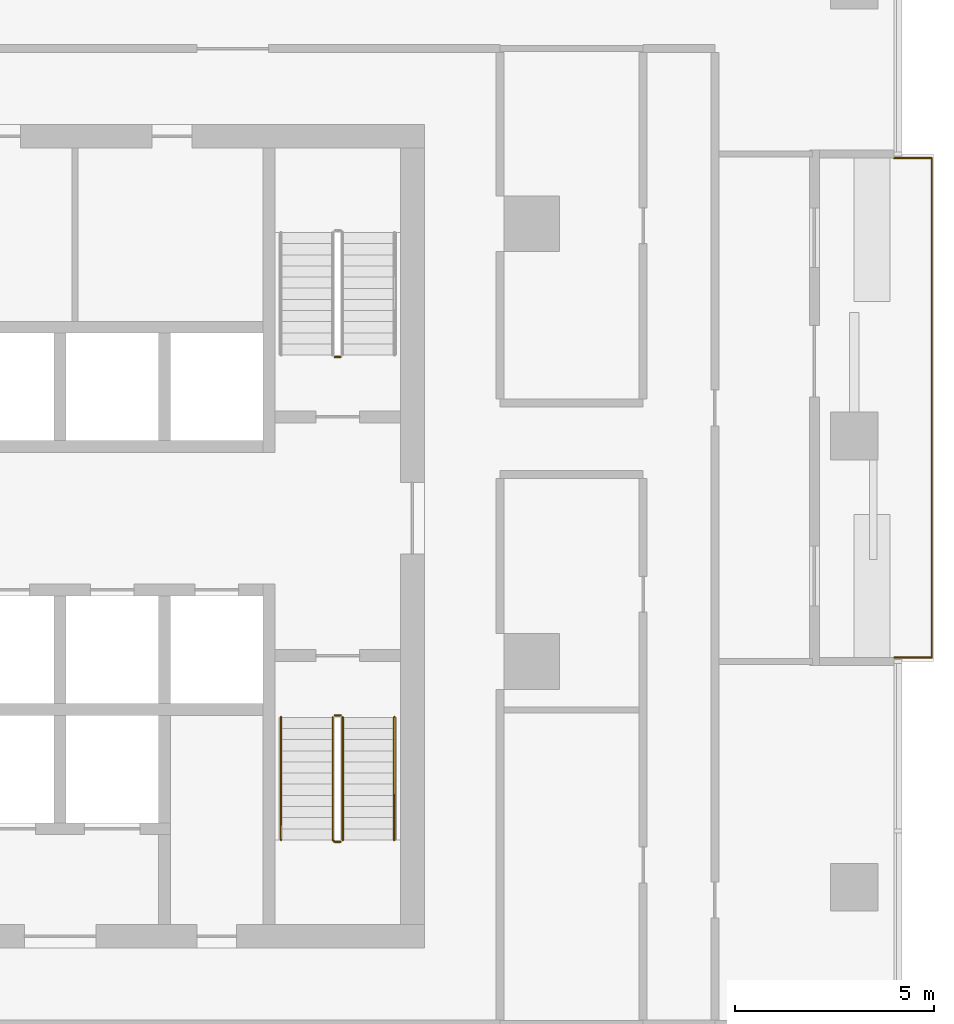
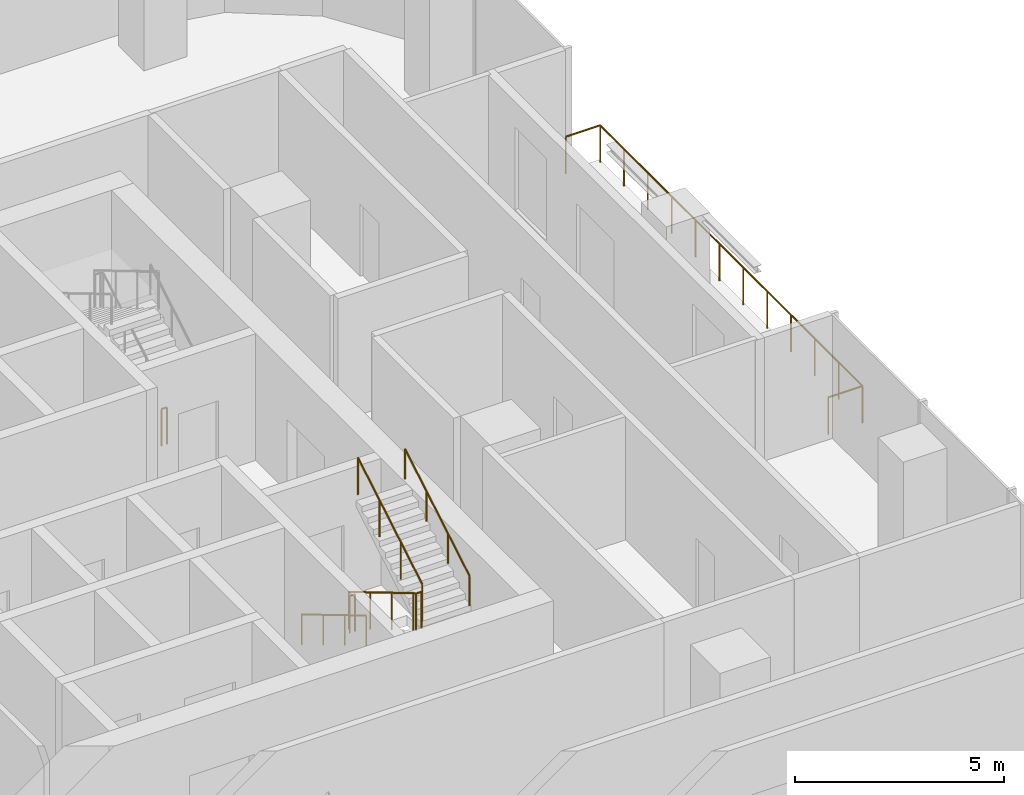
# One storey, part 13 of 14: 7 railings.
"""IFC4 building model written with IfcOpenShell, lengths in metres."""

from ifc_helpers import new_model, si_unit, direction, frame, origin, origin_2d, place, context, subcontext, project, spatial, circle, extrude, material, type_object, element, save


model = new_model("IFC4")

# Units and contexts
model_context = context("Model", 3, precision=1e-05, world=origin(), true_north=direction((0.0, 1.0)))
body_context = subcontext(model_context, "Body", "Model", "MODEL_VIEW")
ifc_project = project(units=[si_unit("LENGTHUNIT", "METRE"), si_unit("AREAUNIT", "SQUARE_METRE"), si_unit("VOLUMEUNIT", "CUBIC_METRE"), si_unit("PLANEANGLEUNIT", "RADIAN"), si_unit("MASSUNIT", "GRAM", prefix="KILO")], contexts=[model_context])

# Site, building, storey
site_placement = place(None, origin())
site = spatial("IfcSite", under=ifc_project, at=site_placement, CompositionType="ELEMENT")
building_placement = place(site_placement, origin())
building = spatial("IfcBuilding", under=site, at=building_placement, Name="Mopane Tessera Tower", CompositionType="ELEMENT")
storey_placement = place(building_placement, frame((0.0, 0.0, 165.0)))
storey = spatial("IfcBuildingStorey", under=building, at=storey_placement, Name="L33", CompositionType="ELEMENT", Elevation=165.0)

# Railings
ifc_material_1 = material(Name="Powder-coated steel balustrade", Category="steel")
railing_type_1 = type_object("IfcRailingType", Name="Escape stair guard 1100 mm", PredefinedType="GUARDRAIL", material=ifc_material_1)
railing_1_placement = place(storey_placement, frame((12.10009765625, -1.39990234375, 0.166748046875)))
element("IfcRailing", 1, at=railing_1_placement, inside=storey, type_object=railing_type_1, Name="L33 ST3 stair guard 1", PredefinedType="GUARDRAIL", context=body_context, shape_type="SweptSolid", body=[
    extrude(circle(Radius=0.02392578125, at=origin_2d()), frame((0.0, 0.0, 1.076171875), z_axis=(0.0, -0.859308565015, 0.511457515432), x_axis=(1.0, 0.0, 0.0)), (0.0, 0.0, 1.0), 3.58447265625),
    extrude(circle(Radius=0.02392578125, at=origin_2d()), frame((0.0, -3.080078125, 2.9091796875), z_axis=(0.705375805398, -0.708833529934, 0.0), x_axis=(0.708833529934, 0.705375805398, 0.0)), (0.0, 0.0, 1.0), 0.070556640625),
    extrude(circle(Radius=0.02392578125, at=origin_2d()), frame((0.0498046875, -3.130126953125, 2.9091796875), z_axis=(1.0, 0.0, 0.0), x_axis=(0.0, 1.0, 0.0)), (0.0, 0.0, 1.0), 0.150146484375),
    extrude(circle(Radius=0.02099609375, at=origin_2d()), origin(), (0.0, 0.0, 1.0), 1.052001953125),
    extrude(circle(Radius=0.02099609375, at=origin_2d()), frame((0.0, -1.026611328125, 0.611083984375)), (0.0, 0.0, 1.0), 1.052001953125),
    extrude(circle(Radius=0.02099609375, at=origin_2d()), frame((0.0, -2.053466796875, 1.22216796875)), (0.0, 0.0, 1.0), 1.052001953125),
    extrude(circle(Radius=0.02099609375, at=origin_2d()), frame((0.0, -3.080078125, 1.833251953125)), (0.0, 0.0, 1.0), 1.052001953125),
    extrude(circle(Radius=0.02099609375, at=origin_2d()), frame((0.0498046875, -3.130126953125, 1.833251953125)), (0.0, 0.0, 1.0), 1.052001953125),
    extrude(circle(Radius=0.02099609375, at=origin_2d()), frame((0.199951171875, -3.130126953125, 1.833251953125)), (0.0, 0.0, 1.0), 1.052001953125),
])
railing_2_placement = place(storey_placement, frame((12.35009765625, -4.47998046875, 2.166748046875)))
element("IfcRailing", 2, at=railing_2_placement, inside=storey, type_object=railing_type_1, Name="L33 ST3 stair guard 2", PredefinedType="GUARDRAIL", context=body_context, shape_type="SweptSolid", body=[
    extrude(circle(Radius=0.02392578125, at=origin_2d()), frame((0.0, 0.0, 1.076171875), z_axis=(0.0, 0.859308565015, 0.511457515432), x_axis=(-1.0, 0.0, 0.0)), (0.0, 0.0, 1.0), 3.58447265625),
    extrude(circle(Radius=0.02099609375, at=origin_2d()), origin(), (0.0, 0.0, 1.0), 1.052001953125),
    extrude(circle(Radius=0.02099609375, at=origin_2d()), frame((0.0, 1.026611328125, 0.611083984375)), (0.0, 0.0, 1.0), 1.052001953125),
    extrude(circle(Radius=0.02099609375, at=origin_2d()), frame((0.0, 2.053466796875, 1.22216796875)), (0.0, 0.0, 1.0), 1.052001953125),
    extrude(circle(Radius=0.02099609375, at=origin_2d()), frame((0.0, 3.080078125, 1.833251953125)), (0.0, 0.0, 1.0), 1.052001953125),
])
railing_3_placement = place(storey_placement, frame((12.14990234375, -1.35009765625, 0.0)))
element("IfcRailing", 3, at=railing_3_placement, inside=storey, type_object=railing_type_1, Name="L33 ST3 stair guard 3", PredefinedType="GUARDRAIL", context=body_context, shape_type="SweptSolid", body=[
    extrude(circle(Radius=0.02392578125, at=origin_2d()), frame((0.0, 0.0, 1.076171875), z_axis=(1.0, 0.0, 0.0), x_axis=(0.0, 1.0, 0.0)), (0.0, 0.0, 1.0), 0.150146484375),
    extrude(circle(Radius=0.02099609375, at=origin_2d()), origin(), (0.0, 0.0, 1.0), 1.052001953125),
    extrude(circle(Radius=0.02099609375, at=origin_2d()), frame((0.150146484375, 0.0, 0.0)), (0.0, 0.0, 1.0), 1.052001953125),
])
railing_4_placement = place(storey_placement, frame((12.300048828125, 7.64990234375, 0.0)))
element("IfcRailing", 4, at=railing_4_placement, inside=storey, type_object=railing_type_1, Name="L33 ST4 stair guard 3", PredefinedType="GUARDRAIL", context=body_context, shape_type="SweptSolid", body=[
    extrude(circle(Radius=0.02392578125, at=origin_2d()), frame((0.0, 0.0, 1.076171875), z_axis=(-1.0, 0.0, 0.0), x_axis=(0.0, -1.0, 0.0)), (0.0, 0.0, 1.0), 0.150146484375),
    extrude(circle(Radius=0.02099609375, at=origin_2d()), origin(), (0.0, 0.0, 1.0), 1.052001953125),
    extrude(circle(Radius=0.02099609375, at=origin_2d()), frame((-0.150146484375, 0.0, 0.0)), (0.0, 0.0, 1.0), 1.052001953125),
])
ifc_material_2 = material(Name="Powder-coated steel balustrade", Category="steel")
railing_type_2 = type_object("IfcRailingType", Name="Escape stair handrail 900 mm", PredefinedType="HANDRAIL", material=ifc_material_2)
railing_5_placement = place(storey_placement, frame((10.800048828125, -1.39990234375, 0.166748046875)))
element("IfcRailing", 5, at=railing_5_placement, inside=storey, type_object=railing_type_2, Name="L33 ST3 stair handrail 1", PredefinedType="HANDRAIL", context=body_context, shape_type="SweptSolid", body=[
    extrude(circle(Radius=0.02392578125, at=origin_2d()), frame((0.0, 0.0, 0.8759765625), z_axis=(0.0, -0.859308565015, 0.511457515432), x_axis=(1.0, 0.0, 0.0)), (0.0, 0.0, 1.0), 3.58447265625),
    extrude(circle(Radius=0.02099609375, at=origin_2d()), origin(), (0.0, 0.0, 1.0), 0.851806640625),
    extrude(circle(Radius=0.02099609375, at=origin_2d()), frame((0.0, -1.026611328125, 0.611083984375)), (0.0, 0.0, 1.0), 0.851806640625),
    extrude(circle(Radius=0.02099609375, at=origin_2d()), frame((0.0, -2.053466796875, 1.22216796875)), (0.0, 0.0, 1.0), 0.851806640625),
    extrude(circle(Radius=0.02099609375, at=origin_2d()), frame((0.0, -3.080078125, 1.833251953125)), (0.0, 0.0, 1.0), 0.851806640625),
])
railing_6_placement = place(storey_placement, frame((13.64990234375, -4.47998046875, 2.166748046875)))
element("IfcRailing", 6, at=railing_6_placement, inside=storey, type_object=railing_type_2, Name="L33 ST3 stair handrail 2", PredefinedType="HANDRAIL", context=body_context, shape_type="SweptSolid", body=[
    extrude(circle(Radius=0.02392578125, at=origin_2d()), frame((0.0, 0.0, 0.8759765625), z_axis=(0.0, 0.859308565015, 0.511457515432), x_axis=(-1.0, 0.0, 0.0)), (0.0, 0.0, 1.0), 3.58447265625),
    extrude(circle(Radius=0.02099609375, at=origin_2d()), origin(), (0.0, 0.0, 1.0), 0.851806640625),
    extrude(circle(Radius=0.02099609375, at=origin_2d()), frame((0.0, 1.026611328125, 0.611083984375)), (0.0, 0.0, 1.0), 0.851806640625),
    extrude(circle(Radius=0.02099609375, at=origin_2d()), frame((0.0, 2.053466796875, 1.22216796875)), (0.0, 0.0, 1.0), 0.851806640625),
    extrude(circle(Radius=0.02099609375, at=origin_2d()), frame((0.0, 3.080078125, 1.833251953125)), (0.0, 0.0, 1.0), 0.851806640625),
])
ifc_material_3 = material(Name="Stainless steel S316", Category="steel")
railing_type_3 = type_object("IfcRailingType", Name="Terrace guard 1100", PredefinedType="GUARDRAIL", material=ifc_material_3)
railing_7_placement = place(storey_placement, frame((26.199951171875, 0.10009765625, 0.0)))
element("IfcRailing", 7, at=railing_7_placement, inside=storey, type_object=railing_type_3, Name="e:nw:L33:N3:guard", PredefinedType="GUARDRAIL", context=body_context, shape_type="SweptSolid", body=[
    extrude(circle(Radius=0.02392578125, at=origin_2d()), frame((0.0, 0.0, 1.076171875), z_axis=(1.0, 0.0, 0.0), x_axis=(0.0, 1.0, 0.0)), (0.0, 0.0, 1.0), 0.949951171875),
    extrude(circle(Radius=0.02392578125, at=origin_2d()), frame((0.949951171875, 0.0, 1.076171875), z_axis=(0.0, 1.0, 0.0), x_axis=(-1.0, 0.0, 0.0)), (0.0, 0.0, 1.0), 12.5498046875),
    extrude(circle(Radius=0.02392578125, at=origin_2d()), frame((0.949951171875, 12.5498046875, 1.076171875), z_axis=(-1.0, 0.0, 0.0), x_axis=(0.0, -1.0, 0.0)), (0.0, 0.0, 1.0), 0.949951171875),
    extrude(circle(Radius=0.02099609375, at=origin_2d()), origin(), (0.0, 0.0, 1.0), 1.052001953125),
    extrude(circle(Radius=0.02099609375, at=origin_2d()), frame((0.949951171875, 0.0, 0.0)), (0.0, 0.0, 1.0), 1.052001953125),
    extrude(circle(Radius=0.02099609375, at=origin_2d()), frame((0.949951171875, 1.140869140625, 0.0)), (0.0, 0.0, 1.0), 1.052001953125),
    extrude(circle(Radius=0.02099609375, at=origin_2d()), frame((0.949951171875, 2.28173828125, 0.0)), (0.0, 0.0, 1.0), 1.052001953125),
    extrude(circle(Radius=0.02099609375, at=origin_2d()), frame((0.949951171875, 3.422607421875, 0.0)), (0.0, 0.0, 1.0), 1.052001953125),
    extrude(circle(Radius=0.02099609375, at=origin_2d()), frame((0.949951171875, 4.5634765625, 0.0)), (0.0, 0.0, 1.0), 1.052001953125),
    extrude(circle(Radius=0.02099609375, at=origin_2d()), frame((0.949951171875, 5.704345703125, 0.0)), (0.0, 0.0, 1.0), 1.052001953125),
    extrude(circle(Radius=0.02099609375, at=origin_2d()), frame((0.949951171875, 6.845458984375, 0.0)), (0.0, 0.0, 1.0), 1.052001953125),
    extrude(circle(Radius=0.02099609375, at=origin_2d()), frame((0.949951171875, 7.986328125, 0.0)), (0.0, 0.0, 1.0), 1.052001953125),
    extrude(circle(Radius=0.02099609375, at=origin_2d()), frame((0.949951171875, 9.127197265625, 0.0)), (0.0, 0.0, 1.0), 1.052001953125),
    extrude(circle(Radius=0.02099609375, at=origin_2d()), frame((0.949951171875, 10.26806640625, 0.0)), (0.0, 0.0, 1.0), 1.052001953125),
    extrude(circle(Radius=0.02099609375, at=origin_2d()), frame((0.949951171875, 11.408935546875, 0.0)), (0.0, 0.0, 1.0), 1.052001953125),
    extrude(circle(Radius=0.02099609375, at=origin_2d()), frame((0.949951171875, 12.5498046875, 0.0)), (0.0, 0.0, 1.0), 1.052001953125),
    extrude(circle(Radius=0.02099609375, at=origin_2d()), frame((0.0, 12.5498046875, 0.0)), (0.0, 0.0, 1.0), 1.052001953125),
])

save(model, "model.ifc")
